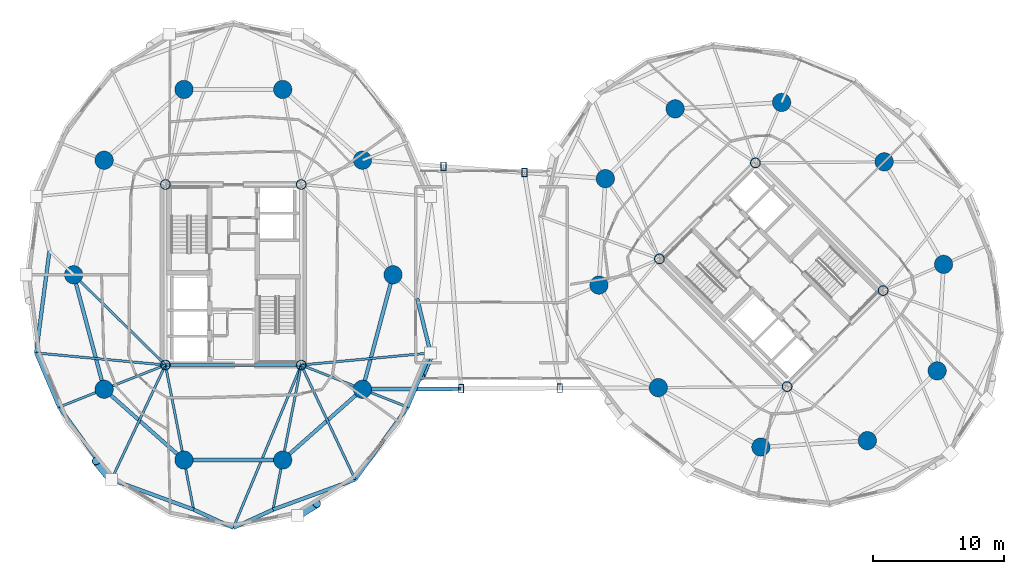
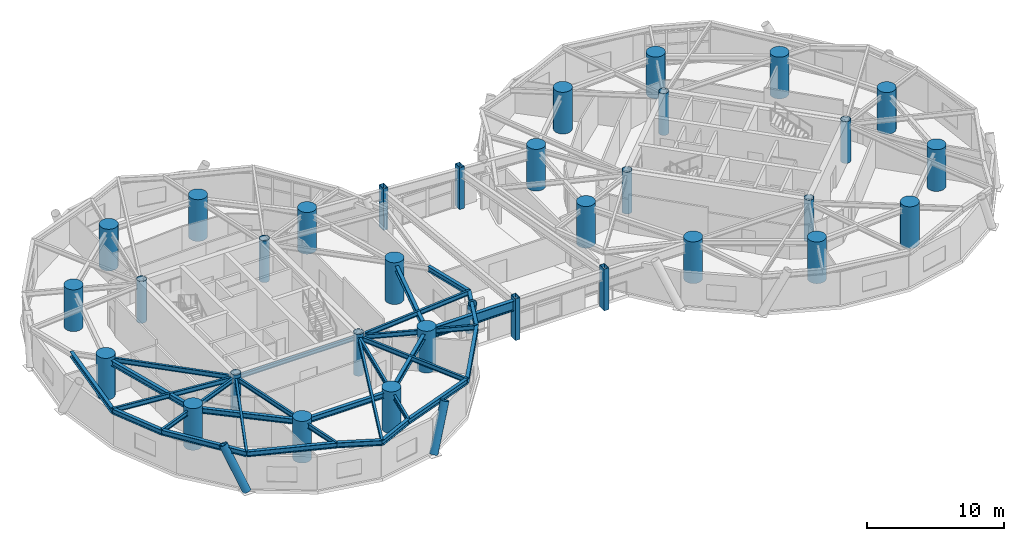
# One storey, part 1 of 20: 32 columns, 27 beams, 3 members.
"""IFC4 building model written with IfcOpenShell, lengths in metres."""

import ifcopenshell
import ifcopenshell.guid

model = None  # the IFC model being written
_history = None  # IfcOwnerHistory: only IFC2X3 demands one
_inside = {}  # id of a spatial element -> (the spatial element, [elements in it])
_under = {}  # id of a project, library or spatial element -> (it, [spatial elements below it])
_declared = {}  # id of a project -> (the project, [libraries it declares])
_typed = {}  # id of a type object -> (the type object, [elements of that type])
_made_of = {}  # id of a material, layer set ... -> (it, [elements and type objects made of it])


def new_model(schema):
    """Start an empty IFC model of exactly this schema.

    Asked for "IFC4X3", IfcOpenShell would pick the latest addendum, in which some entities
    have other attributes; the version numbers below select the first issue.
    IFC2X3 requires an IfcOwnerHistory on every rooted entity: one is made here for all.
    """
    global model, _history
    if schema == "IFC4X3":
        model = ifcopenshell.file(schema_version=(4, 3, 0, 0))
    else:
        model = ifcopenshell.file(schema=schema)
    _inside.clear()
    _under.clear()
    _declared.clear()
    _typed.clear()
    _made_of.clear()
    _history = None
    if model.schema == "IFC2X3":
        org = make("IfcOrganization", Name="unknown")
        user = make(
            "IfcPersonAndOrganization",
            ThePerson=make("IfcPerson", FamilyName="unknown"),
            TheOrganization=org,
        )
        app = make(
            "IfcApplication",
            ApplicationDeveloper=org,
            Version="unknown",
            ApplicationFullName="unknown",
            ApplicationIdentifier="unknown",
        )
        _history = make(
            "IfcOwnerHistory",
            OwningUser=user,
            OwningApplication=app,
            ChangeAction="ADDED",
            CreationDate=0,
        )
    return model


def make(cls, **values):
    """One entity of the class cls with the attributes given. An attribute that is None is left unset."""
    return model.create_entity(
        cls, **{name: value for name, value in values.items() if value is not None}
    )


def rooted(cls, **values):
    """An entity with a GlobalId (a new one), such as an element, a storey or a relation."""
    return make(cls, GlobalId=ifcopenshell.guid.new(), OwnerHistory=_history, **values)


def si_unit(unit_type, name, prefix=None):
    """IfcSIUnit, for example si_unit("LENGTHUNIT", "METRE", prefix="MILLI")."""
    return make("IfcSIUnit", UnitType=unit_type, Prefix=prefix, Name=name)


def assignment(units):
    """IfcUnitAssignment: the units of a project."""
    return None if units is None else make("IfcUnitAssignment", Units=units)


def point(xyz):
    """IfcCartesianPoint."""
    return None if xyz is None else make("IfcCartesianPoint", Coordinates=xyz)


def direction(xyz):
    """IfcDirection."""
    return None if xyz is None else make("IfcDirection", DirectionRatios=xyz)


def frame(location, z_axis=None, x_axis=None):
    """IfcAxis2Placement3D, a coordinate frame: its origin and axes. An axis left out is left unset."""
    return make(
        "IfcAxis2Placement3D",
        Location=point(location),
        Axis=direction(z_axis),
        RefDirection=direction(x_axis),
    )


def frame_2d(location, x_axis=None):
    """IfcAxis2Placement2D, a coordinate frame in the plane: its origin and x axis."""
    return make(
        "IfcAxis2Placement2D", Location=point(location), RefDirection=direction(x_axis)
    )


def origin():
    """The frame at (0, 0, 0) with its axes left unset."""
    return frame((0.0, 0.0, 0.0))


def origin_2d():
    """The frame at (0, 0) in the plane with its x axis left unset."""
    return frame_2d((0.0, 0.0))


def place(relative_to, where):
    """IfcLocalPlacement: puts the frame where relative to a parent placement (None: the world)."""
    return make(
        "IfcLocalPlacement", PlacementRelTo=relative_to, RelativePlacement=where
    )


def context(
    kind, dimensions, precision=None, world=None, true_north=None, identifier=None
):
    """IfcGeometricRepresentationContext, for example the 3D "Model" context."""
    return make(
        "IfcGeometricRepresentationContext",
        ContextIdentifier=identifier,
        ContextType=kind,
        CoordinateSpaceDimension=dimensions,
        Precision=precision,
        WorldCoordinateSystem=world,
        TrueNorth=true_north,
    )


def subcontext(parent, identifier, kind, view, scale=None):
    """IfcGeometricRepresentationSubContext, for example "Body" below "Model"."""
    return make(
        "IfcGeometricRepresentationSubContext",
        ContextIdentifier=identifier,
        ContextType=kind,
        ParentContext=parent,
        TargetScale=scale,
        TargetView=view,
    )


def project(units=None, contexts=None):
    """IfcProject with its units and contexts."""
    return rooted(
        "IfcProject",
        Name="project",
        RepresentationContexts=contexts,
        UnitsInContext=assignment(units),
    )


def spatial(cls, under=None, at=None, **own):
    """A site, building, storey or space (cls), placed at a placement, below another one or the project."""
    s = rooted(cls, ObjectPlacement=at, **own)
    if under is not None:
        _under.setdefault(under.id(), (under, []))[1].append(s)
    return s


def profile(cls, at=None, kind="AREA", **sizes):
    """A parametric profile (cls). Its sizes go by their IFC names, for example OverallWidth=200.0."""
    return make(cls, ProfileType=kind, Position=at, **sizes)


def hollow_rectangle(**sizes):
    """IfcRectangleHollowProfileDef."""
    return profile("IfcRectangleHollowProfileDef", **sizes)


def circle(**sizes):
    """IfcCircleProfileDef."""
    return profile("IfcCircleProfileDef", **sizes)


def hollow_circle(**sizes):
    """IfcCircleHollowProfileDef."""
    return profile("IfcCircleHollowProfileDef", **sizes)


def i_section(**sizes):
    """IfcIShapeProfileDef."""
    return profile("IfcIShapeProfileDef", **sizes)


def extrude(swept, where, along, depth):
    """IfcExtrudedAreaSolid: the profile swept, set in the frame where, extruded along a direction by depth."""
    return make(
        "IfcExtrudedAreaSolid",
        SweptArea=swept,
        Position=where,
        ExtrudedDirection=direction(along),
        Depth=depth,
    )


def shape(context_of_items, identifier, shape_type, items):
    """IfcShapeRepresentation: the items that make up one representation, for example the "Body"."""
    return make(
        "IfcShapeRepresentation",
        ContextOfItems=context_of_items,
        RepresentationIdentifier=identifier,
        RepresentationType=shape_type,
        Items=items,
    )


def material(Name=None, Category=None):
    """IfcMaterial."""
    return make("IfcMaterial", Name=Name, Category=Category)


def material_profile(
    of_material, cross_section, Name=None, Category=None, Priority=None
):
    """IfcMaterialProfile: a cross section and its material."""
    return make(
        "IfcMaterialProfile",
        Name=Name,
        Material=of_material,
        Profile=cross_section,
        Priority=Priority,
        Category=Category,
    )


def profile_set(profiles, Name=None, composite=None):
    """IfcMaterialProfileSet."""
    return make(
        "IfcMaterialProfileSet",
        Name=Name,
        MaterialProfiles=profiles,
        CompositeProfile=composite,
    )


def made_of(thing, what):
    """Note that an element or type object is made of a material, layer set ...; save() writes the relation."""
    if what is not None:
        _made_of.setdefault(what.id(), (what, []))[1].append(thing)
    return thing


def type_object(cls, material=None, **own):
    """A type object (cls), such as IfcWallType, which elements share."""
    return made_of(rooted(cls, **own), material)


def element(
    cls,
    number,
    at=None,
    inside=None,
    cuts=None,
    type_object=None,
    material=None,
    context=None,
    identifier="Body",
    shape_type=None,
    held_by="IfcProductDefinitionShape",
    body=None,
    shapes=None,
    **own,
):
    """One element of the class cls, such as IfcWall. Its Tag is "e" and its number.

    at: its placement. inside: the storey or other place that contains it. cuts: it is an
    opening in that element (IfcRelVoidsElement). A single representation is given by context,
    identifier, shape_type and body (its items); several are given by shapes. held_by: the class
    of the entity that holds the representations. save() writes the other relations.
    """
    e = rooted(cls, Tag="e%d" % number, ObjectPlacement=at, **own)
    if body is not None:
        shapes = [shape(context, identifier, shape_type, body)]
    if shapes is not None:
        e.Representation = make(held_by, Representations=shapes)
    if inside is not None:
        _inside.setdefault(inside.id(), (inside, []))[1].append(e)
    if cuts is not None:
        rooted(
            "IfcRelVoidsElement", RelatingBuildingElement=cuts, RelatedOpeningElement=e
        )
    if type_object is not None:
        _typed.setdefault(type_object.id(), (type_object, []))[1].append(e)
    return made_of(e, material)


def aggregate(whole, parts):
    """IfcRelAggregates: a whole, such as a stair, and the parts it consists of."""
    return rooted("IfcRelAggregates", RelatingObject=whole, RelatedObjects=parts)


def save(model, path):
    """Write the relations noted so far, then the file.

    IfcRelAggregates (storeys below a building ...), IfcRelContainedInSpatialStructure (elements
    in a storey), IfcRelDefinesByType, IfcRelAssociatesMaterial and IfcRelDeclares: one each for
    every whole, place, type object, material and project.
    """
    for whole, parts in _under.values():
        aggregate(whole, parts)
    for where, things in _inside.values():
        rooted(
            "IfcRelContainedInSpatialStructure",
            RelatedElements=things,
            RelatingStructure=where,
        )
    for kind, things in _typed.values():
        rooted("IfcRelDefinesByType", RelatedObjects=things, RelatingType=kind)
    for what, things in _made_of.values():
        rooted("IfcRelAssociatesMaterial", RelatedObjects=things, RelatingMaterial=what)
    for by, libraries in _declared.values():
        rooted("IfcRelDeclares", RelatingContext=by, RelatedDefinitions=libraries)
    model.write(path)


model = new_model("IFC4")

# Units and contexts
model_context = context("Model", 3, precision=1e-05, world=origin(), true_north=direction((0.0, 1.0)))
body_context = subcontext(model_context, "Body", "Model", "MODEL_VIEW")
ifc_project = project(units=[si_unit("LENGTHUNIT", "METRE"), si_unit("AREAUNIT", "SQUARE_METRE"), si_unit("VOLUMEUNIT", "CUBIC_METRE"), si_unit("PLANEANGLEUNIT", "RADIAN"), si_unit("MASSUNIT", "GRAM", prefix="KILO")], contexts=[model_context])

# Site, building, storey
site_placement = place(None, origin())
site = spatial("IfcSite", under=ifc_project, at=site_placement, CompositionType="ELEMENT")
building_placement = place(site_placement, origin())
building = spatial("IfcBuilding", under=site, at=building_placement, Name="Cununo Teusaquillo Station Towers", CompositionType="ELEMENT")
storey_placement = place(building_placement, frame((0.0, 0.0, 129.159912109375)))
storey = spatial("IfcBuildingStorey", under=building, at=storey_placement, Name="L41", CompositionType="ELEMENT", Elevation=129.159912109375)

# Columns
ifc_material_1 = material(Name="Steel ASTM A572 Grade 50", Category="steel")
ifc_material_profile_1 = material_profile(ifc_material_1, hollow_rectangle(XDim=0.39990234375, YDim=0.64990234375, WallThickness=0.02490234375, at=origin_2d()), Name="RHS 650x400x25")
ifc_profile_set_1 = profile_set([ifc_material_profile_1], Name="Steel ASTM A572 Grade 50")
column_type_1 = type_object("IfcColumnType", Name="COL-BRG-POST", PredefinedType="COLUMN", material=ifc_profile_set_1)
for number, where, z_axis, x_axis, name in (
    (1, (33.862548828125, 15.81201171875, 0.0), (0.0, 0.0, 1.0), (1.0, 0.0, 0.0), "L41 Mid-Bridge Vierendeel Post S1"),
    (2, (41.377685546875, 15.8525390625, 0.0), (0.0, 0.0, 1.0), (1.0, 0.0, 0.0), "L41 Mid-Bridge Vierendeel Post S2"),
    (3, (32.51611328125, 32.761474609375, 0.0), (0.0, 0.0, 1.0), (1.0, 0.0, 0.0), "L41 Mid-Bridge Vierendeel Post N1"),
    (4, (38.684814453125, 32.294189453125, 0.0), (0.0, 0.0, 1.0), (1.0, 0.0, 0.0), "L41 Mid-Bridge Vierendeel Post N2"),
):
    element("IfcColumn", number, at=place(storey_placement, frame(where, z_axis=z_axis, x_axis=x_axis)), inside=storey, type_object=column_type_1, Name=name, PredefinedType="COLUMN", context=body_context, shape_type="SweptSolid", body=[
        extrude(hollow_rectangle(XDim=0.39990234375, YDim=0.64990234375, WallThickness=0.02490234375, at=origin_2d()), origin(), (0.0, 0.0, 1.0), 3.719970703125),
    ])
ifc_material_2 = material(Name="Steel EN 10025-2 S355J2", Category="steel")
ifc_material_profile_2 = material_profile(ifc_material_2, hollow_circle(Radius=0.3798828125, WallThickness=0.031982421875, at=origin_2d()), Name="CHS 760x32")
ifc_profile_set_2 = profile_set([ifc_material_profile_2], Name="Steel EN 10025-2 S355J2")
column_type_2 = type_object("IfcColumnType", Name="COL-CORE-Z2", PredefinedType="COLUMN", material=ifc_profile_set_2)
for number, where, z_axis, x_axis, name in (
    (5, (11.324951171875, 17.6201171875, 0.0), (0.0, 0.0, 1.0), (1.0, 0.0, 0.0), "L41 Tower A Core Column 1"),
    (6, (11.324951171875, 31.3798828125, 0.0), (0.0, 0.0, 1.0), (1.0, 0.0, 0.0), "L41 Tower A Core Column 2"),
    (7, (21.675048828125, 17.6201171875, 0.0), (0.0, 0.0, 1.0), (1.0, 0.0, 0.0), "L41 Tower A Core Column 3"),
    (8, (21.675048828125, 31.3798828125, 0.0), (0.0, 0.0, 1.0), (1.0, 0.0, 0.0), "L41 Tower A Core Column 4"),
    (9, (58.70556640625, 15.975830078125, 0.0), (0.0, 0.0, 1.0), (0.707106781187, 0.707106781187, 0.0), "L41 Tower B Core Column 1"),
    (10, (48.975830078125, 25.70556640625, 0.0), (0.0, 0.0, 1.0), (0.707106781187, 0.707106781187, 0.0), "L41 Tower B Core Column 2"),
    (11, (66.024169921875, 23.29443359375, 0.0), (0.0, 0.0, 1.0), (0.707106781187, 0.707106781187, 0.0), "L41 Tower B Core Column 3"),
    (12, (56.29443359375, 33.024169921875, 0.0), (0.0, 0.0, 1.0), (0.707106781187, 0.707106781187, 0.0), "L41 Tower B Core Column 4"),
):
    element("IfcColumn", number, at=place(storey_placement, frame(where, z_axis=z_axis, x_axis=x_axis)), inside=storey, type_object=column_type_2, Name=name, PredefinedType="COLUMN", context=body_context, shape_type="SweptSolid", body=[
        extrude(hollow_circle(Radius=0.3798828125, WallThickness=0.031982421875, at=origin_2d()), origin(), (0.0, 0.0, 1.0), 3.719970703125),
    ])
ifc_material_3 = material(Name="Concrete C60/75", Category="concrete")
ifc_material_profile_3 = material_profile(ifc_material_3, circle(Radius=0.699951171875, at=origin_2d()), Name="RC-CIRC-1400")
ifc_profile_set_3 = profile_set([ifc_material_profile_3], Name="Concrete C60/75")
column_type_3 = type_object("IfcColumnType", Name="COL-MEGA-Z2", PredefinedType="USERDEFINED", material=ifc_profile_set_3)
for number, where, z_axis, x_axis, name in (
    (13, (28.672119140625, 24.5, 0.0), (0.0, 0.0, 1.0), (1.0, 0.0, 0.0), "L41 Tower A Perimeter Column V00"),
    (14, (26.347412109375, 33.228515625, 0.0), (0.0, 0.0, 1.0), (1.0, 0.0, 0.0), "L41 Tower A Perimeter Column V02"),
    (15, (20.261474609375, 38.623291015625, 0.0), (0.0, 0.0, 1.0), (1.0, 0.0, 0.0), "L41 Tower A Perimeter Column V04"),
    (16, (12.738525390625, 38.623291015625, 0.0), (0.0, 0.0, 1.0), (1.0, 0.0, 0.0), "L41 Tower A Perimeter Column V06"),
    (17, (6.652587890625, 33.228515625, 0.0), (0.0, 0.0, 1.0), (1.0, 0.0, 0.0), "L41 Tower A Perimeter Column V08"),
    (18, (4.327880859375, 24.5, 0.0), (0.0, 0.0, 1.0), (1.0, 0.0, 0.0), "L41 Tower A Perimeter Column V10"),
    (19, (6.652587890625, 15.771484375, 0.0), (0.0, 0.0, 1.0), (1.0, 0.0, 0.0), "L41 Tower A Perimeter Column V12"),
    (20, (12.738525390625, 10.376708984375, 0.0), (0.0, 0.0, 1.0), (1.0, 0.0, 0.0), "L41 Tower A Perimeter Column V14"),
    (21, (20.261474609375, 10.376708984375, 0.0), (0.0, 0.0, 1.0), (1.0, 0.0, 0.0), "L41 Tower A Perimeter Column V16"),
    (22, (26.347412109375, 15.771484375, 0.0), (0.0, 0.0, 1.0), (1.0, 0.0, 0.0), "L41 Tower A Perimeter Column V18"),
    (23, (66.10693359375, 33.10693359375, 0.0), (0.0, 0.0, 1.0), (1.0, 0.0, 0.0), "L41 Tower B Perimeter Column V00"),
    (24, (58.291015625, 37.63525390625, 0.0), (0.0, 0.0, 1.0), (1.0, 0.0, 0.0), "L41 Tower B Perimeter Column V02"),
    (25, (50.173095703125, 37.146240234375, 0.0), (0.0, 0.0, 1.0), (1.0, 0.0, 0.0), "L41 Tower B Perimeter Column V04"),
    (26, (44.853759765625, 31.826904296875, 0.0), (0.0, 0.0, 1.0), (1.0, 0.0, 0.0), "L41 Tower B Perimeter Column V06"),
    (27, (44.36474609375, 23.708984375, 0.0), (0.0, 0.0, 1.0), (1.0, 0.0, 0.0), "L41 Tower B Perimeter Column V08"),
    (28, (48.89306640625, 15.89306640625, 0.0), (0.0, 0.0, 1.0), (1.0, 0.0, 0.0), "L41 Tower B Perimeter Column V10"),
    (29, (56.708984375, 11.36474609375, 0.0), (0.0, 0.0, 1.0), (1.0, 0.0, 0.0), "L41 Tower B Perimeter Column V12"),
    (30, (64.826904296875, 11.853759765625, 0.0), (0.0, 0.0, 1.0), (1.0, 0.0, 0.0), "L41 Tower B Perimeter Column V14"),
    (31, (70.146240234375, 17.173095703125, 0.0), (0.0, 0.0, 1.0), (1.0, 0.0, 0.0), "L41 Tower B Perimeter Column V16"),
    (32, (70.63525390625, 25.291015625, 0.0), (0.0, 0.0, 1.0), (1.0, 0.0, 0.0), "L41 Tower B Perimeter Column V18"),
):
    element("IfcColumn", number, at=place(storey_placement, frame(where, z_axis=z_axis, x_axis=x_axis)), inside=storey, type_object=column_type_3, Name=name, ObjectType="MEGA COLUMN", PredefinedType="USERDEFINED", context=body_context, shape_type="SweptSolid", body=[
        extrude(circle(Radius=0.699951171875, at=origin_2d()), origin(), (0.0, 0.0, 1.0), 3.719970703125),
    ])

# Beams
ifc_material_4 = material(Name="Steel EN 10025-2 S355J2", Category="steel")
ifc_material_profile_4 = material_profile(ifc_material_4, i_section(OverallWidth=0.300048828125, OverallDepth=0.89990234375, WebThickness=0.0185546875, FlangeThickness=0.034912109375, FilletRadius=0.027099609375, at=origin_2d()), Name="HEB 900")
ifc_profile_set_4 = profile_set([ifc_material_profile_4], Name="Steel EN 10025-2 S355J2")
beam_type_1 = type_object("IfcBeamType", Name="BM-BRG-CH2", PredefinedType="BEAM", material=ifc_profile_set_4)
beam_1_placement = place(storey_placement, frame((26.347412109375, 15.771484375, 2.989990234375), z_axis=(0.999985459376, 0.00539268359, 0.0), x_axis=(-0.00539268359, 0.999985459376, 0.0)))
element("IfcBeam", 33, at=beam_1_placement, inside=storey, type_object=beam_type_1, Name="L41 Mid-Bridge Chord S1", PredefinedType="BEAM", context=body_context, shape_type="SweptSolid", body=[
    extrude(i_section(OverallWidth=0.300048828125, OverallDepth=0.89990234375, WebThickness=0.0185546875, FlangeThickness=0.034912109375, FilletRadius=0.027099609375, at=origin_2d()), origin(), (0.0, 0.0, 1.0), 7.51513671875),
])
ifc_material_5 = material(Name="Steel ASTM A572 Grade 50", Category="steel")
ifc_material_profile_5 = material_profile(ifc_material_5, i_section(OverallWidth=0.180908203125, OverallDepth=0.4169921875, WebThickness=0.010986328125, FlangeThickness=0.018310546875, FilletRadius=0.012939453125, at=origin_2d()), Name="W16X57")
ifc_profile_set_5 = profile_set([ifc_material_profile_5], Name="Steel ASTM A572 Grade 50")
beam_type_2 = type_object("IfcBeamType", Name="BM-JOIST-1", PredefinedType="JOIST", material=ifc_profile_set_5)
beam_2_placement = place(storey_placement, frame((11.324951171875, 17.6201171875, 3.231689453125), z_axis=(-0.995678537907, 0.09286683558, 0.0), x_axis=(-0.09286683558, -0.995678537907, 0.0)))
element("IfcBeam", 34, at=beam_2_placement, inside=storey, type_object=beam_type_2, Name="L41 Tower A Radial Spandrel Joist V11", PredefinedType="JOIST", context=body_context, shape_type="SweptSolid", body=[
    extrude(i_section(OverallWidth=0.180908203125, OverallDepth=0.4169921875, WebThickness=0.010986328125, FlangeThickness=0.018310546875, FilletRadius=0.012939453125, at=origin_2d()), origin(), (0.0, 0.0, 1.0), 9.895263671875),
])
beam_3_placement = place(storey_placement, frame((11.324951171875, 17.6201171875, 3.231689453125), z_axis=(-0.426319838016, -0.904572493344, 0.0), x_axis=(0.904572493344, -0.426319838016, 0.0)))
element("IfcBeam", 35, at=beam_3_placement, inside=storey, type_object=beam_type_2, Name="L41 Tower A Radial Spandrel Joist V13", PredefinedType="JOIST", context=body_context, shape_type="SweptSolid", body=[
    extrude(i_section(OverallWidth=0.180908203125, OverallDepth=0.4169921875, WebThickness=0.010986328125, FlangeThickness=0.018310546875, FilletRadius=0.012939453125, at=origin_2d()), origin(), (0.0, 0.0, 1.0), 9.646728515625),
])
beam_4_placement = place(storey_placement, frame((21.675048828125, 17.6201171875, 3.231689453125), z_axis=(-0.38487837995, -0.922967297713, 0.0), x_axis=(0.922967297713, -0.38487837995, 0.0)))
element("IfcBeam", 36, at=beam_4_placement, inside=storey, type_object=beam_type_2, Name="L41 Tower A Radial Spandrel Joist V15", PredefinedType="JOIST", context=body_context, shape_type="SweptSolid", body=[
    extrude(i_section(OverallWidth=0.180908203125, OverallDepth=0.4169921875, WebThickness=0.010986328125, FlangeThickness=0.018310546875, FilletRadius=0.012939453125, at=origin_2d()), origin(), (0.0, 0.0, 1.0), 13.446044921875),
])
beam_5_placement = place(storey_placement, frame((21.675048828125, 17.6201171875, 3.231689453125), z_axis=(0.426319838016, -0.904572493344, 0.0), x_axis=(0.904572493344, 0.426319838016, 0.0)))
element("IfcBeam", 37, at=beam_5_placement, inside=storey, type_object=beam_type_2, Name="L41 Tower A Radial Spandrel Joist V17", PredefinedType="JOIST", context=body_context, shape_type="SweptSolid", body=[
    extrude(i_section(OverallWidth=0.180908203125, OverallDepth=0.4169921875, WebThickness=0.010986328125, FlangeThickness=0.018310546875, FilletRadius=0.012939453125, at=origin_2d()), origin(), (0.0, 0.0, 1.0), 9.646728515625),
])
beam_6_placement = place(storey_placement, frame((21.675048828125, 17.6201171875, 3.231689453125), z_axis=(0.995678537907, 0.09286683558, 0.0), x_axis=(-0.09286683558, 0.995678537907, 0.0)))
element("IfcBeam", 38, at=beam_6_placement, inside=storey, type_object=beam_type_2, Name="L41 Tower A Radial Spandrel Joist V19", PredefinedType="JOIST", context=body_context, shape_type="SweptSolid", body=[
    extrude(i_section(OverallWidth=0.180908203125, OverallDepth=0.4169921875, WebThickness=0.010986328125, FlangeThickness=0.018310546875, FilletRadius=0.012939453125, at=origin_2d()), origin(), (0.0, 0.0, 1.0), 9.895263671875),
])
ifc_material_6 = material(Name="Steel ASTM A572 Grade 50", Category="steel")
ifc_material_profile_6 = material_profile(ifc_material_6, i_section(OverallWidth=0.2041015625, OverallDepth=0.35009765625, WebThickness=0.008544921875, FlangeThickness=0.01513671875, FilletRadius=0.011962890625, at=origin_2d()), Name="W14X48")
ifc_profile_set_6 = profile_set([ifc_material_profile_6], Name="Steel ASTM A572 Grade 50")
beam_type_3 = type_object("IfcBeamType", Name="BM-LINTEL-1", PredefinedType="LINTEL", material=ifc_profile_set_6)
beam_7_placement = place(storey_placement, frame((11.324951171875, 17.6201171875, 3.26513671875), z_axis=(1.0, 0.0, 0.0), x_axis=(0.0, 1.0, 0.0)))
element("IfcBeam", 39, at=beam_7_placement, inside=storey, type_object=beam_type_3, Name="L41 Tower A Core Beam 3", PredefinedType="LINTEL", context=body_context, shape_type="SweptSolid", body=[
    extrude(i_section(OverallWidth=0.2041015625, OverallDepth=0.35009765625, WebThickness=0.008544921875, FlangeThickness=0.01513671875, FilletRadius=0.011962890625, at=origin_2d()), origin(), (0.0, 0.0, 1.0), 10.35009765625),
])
ifc_material_7 = material(Name="Steel ASTM A572 Grade 50", Category="steel")
ifc_material_profile_7 = material_profile(ifc_material_7, i_section(OverallWidth=0.180908203125, OverallDepth=0.4169921875, WebThickness=0.010986328125, FlangeThickness=0.018310546875, FilletRadius=0.012939453125, at=origin_2d()), Name="W16X57")
ifc_profile_set_7 = profile_set([ifc_material_profile_7], Name="Steel ASTM A572 Grade 50")
beam_type_4 = type_object("IfcBeamType", Name="BM-RAD-G2", PredefinedType="BEAM", material=ifc_profile_set_7)
beam_8_placement = place(storey_placement, frame((11.324951171875, 17.6201171875, 3.231689453125), z_axis=(-0.713052701438, 0.701110437073, 0.0), x_axis=(-0.701110437073, -0.713052701438, 0.0)))
element("IfcBeam", 40, at=beam_8_placement, inside=storey, type_object=beam_type_4, Name="L41 Tower A Radial Girder 06A", PredefinedType="BEAM", context=body_context, shape_type="SweptSolid", body=[
    extrude(i_section(OverallWidth=0.180908203125, OverallDepth=0.4169921875, WebThickness=0.010986328125, FlangeThickness=0.018310546875, FilletRadius=0.012939453125, at=origin_2d()), origin(), (0.0, 0.0, 1.0), 9.812744140625),
])
beam_9_placement = place(storey_placement, frame((11.324951171875, 17.6201171875, 3.231689453125), z_axis=(-0.929863123823, -0.367905654963, 0.0), x_axis=(0.367905654963, -0.929863123823, 0.0)))
element("IfcBeam", 41, at=beam_9_placement, inside=storey, type_object=beam_type_4, Name="L41 Tower A Continuous Overhanging Radial Girder 07", PredefinedType="BEAM", context=body_context, shape_type="SweptSolid", body=[
    extrude(i_section(OverallWidth=0.180908203125, OverallDepth=0.4169921875, WebThickness=0.010986328125, FlangeThickness=0.018310546875, FilletRadius=0.012939453125, at=origin_2d()), origin(), (0.0, 0.0, 1.0), 8.715087890625),
])
for number, where, z_axis, x_axis, name in (
    (42, (11.324951171875, 17.6201171875, 3.231689453125), (0.191552755713, -0.981482318628, 0.0), (0.981482318628, 0.191552755713, 0.0), "L41 Tower A Continuous Overhanging Radial Girder 08"),
    (43, (21.675048828125, 17.6201171875, 3.231689453125), (-0.191552755713, -0.981482318628, 0.0), (0.981482318628, -0.191552755713, 0.0), "L41 Tower A Continuous Overhanging Radial Girder 09"),
):
    element("IfcBeam", number, at=place(storey_placement, frame(where, z_axis=z_axis, x_axis=x_axis)), inside=storey, type_object=beam_type_4, Name=name, PredefinedType="BEAM", context=body_context, shape_type="SweptSolid", body=[
        extrude(i_section(OverallWidth=0.180908203125, OverallDepth=0.4169921875, WebThickness=0.010986328125, FlangeThickness=0.018310546875, FilletRadius=0.012939453125, at=origin_2d()), origin(), (0.0, 0.0, 1.0), 11.22998046875),
    ])
beam_10_placement = place(storey_placement, frame((21.675048828125, 17.6201171875, 3.231689453125), z_axis=(0.929863123823, -0.367905654963, 0.0), x_axis=(0.367905654963, 0.929863123823, 0.0)))
element("IfcBeam", 44, at=beam_10_placement, inside=storey, type_object=beam_type_4, Name="L41 Tower A Continuous Overhanging Radial Girder 10", PredefinedType="BEAM", context=body_context, shape_type="SweptSolid", body=[
    extrude(i_section(OverallWidth=0.180908203125, OverallDepth=0.4169921875, WebThickness=0.010986328125, FlangeThickness=0.018310546875, FilletRadius=0.012939453125, at=origin_2d()), origin(), (0.0, 0.0, 1.0), 8.715087890625),
])
ifc_material_8 = material(Name="Steel ASTM A572 Grade 50", Category="steel")
ifc_material_profile_8 = material_profile(ifc_material_8, i_section(OverallWidth=0.280029296875, OverallDepth=0.462890625, WebThickness=0.0107421875, FlangeThickness=0.017333984375, FilletRadius=0.013916015625, at=origin_2d()), Name="W18X76")
ifc_profile_set_8 = profile_set([ifc_material_profile_8], Name="Steel ASTM A572 Grade 50")
beam_type_5 = type_object("IfcBeamType", Name="BM-RING-Z2", PredefinedType="SPANDREL", material=ifc_profile_set_8)
beam_11_placement = place(storey_placement, frame((4.327880859375, 24.5, 3.20849609375), z_axis=(0.257363196347, -0.966314744359, 0.0), x_axis=(0.966314744359, 0.257363196347, 0.0)))
element("IfcBeam", 45, at=beam_11_placement, inside=storey, type_object=beam_type_5, Name="L41 Tower A Structural Column Ring Girder 06", PredefinedType="SPANDREL", context=body_context, shape_type="SweptSolid", body=[
    extrude(i_section(OverallWidth=0.280029296875, OverallDepth=0.462890625, WebThickness=0.0107421875, FlangeThickness=0.017333984375, FilletRadius=0.013916015625, at=origin_2d()), origin(), (0.0, 0.0, 1.0), 9.03271484375),
])
beam_12_placement = place(storey_placement, frame((6.652587890625, 15.771484375, 3.20849609375), z_axis=(0.74832120039, -0.66333655187, 0.0), x_axis=(0.66333655187, 0.74832120039, 0.0)))
element("IfcBeam", 46, at=beam_12_placement, inside=storey, type_object=beam_type_5, Name="L41 Tower A Structural Column Ring Girder 07", PredefinedType="SPANDREL", context=body_context, shape_type="SweptSolid", body=[
    extrude(i_section(OverallWidth=0.280029296875, OverallDepth=0.462890625, WebThickness=0.0107421875, FlangeThickness=0.017333984375, FilletRadius=0.013916015625, at=origin_2d()), origin(), (0.0, 0.0, 1.0), 8.1328125),
])
beam_13_placement = place(storey_placement, frame((12.738525390625, 10.376708984375, 3.20849609375), z_axis=(1.0, 0.0, 0.0), x_axis=(0.0, 1.0, 0.0)))
element("IfcBeam", 47, at=beam_13_placement, inside=storey, type_object=beam_type_5, Name="L41 Tower A Structural Column Ring Girder 08", PredefinedType="SPANDREL", context=body_context, shape_type="SweptSolid", body=[
    extrude(i_section(OverallWidth=0.280029296875, OverallDepth=0.462890625, WebThickness=0.0107421875, FlangeThickness=0.017333984375, FilletRadius=0.013916015625, at=origin_2d()), origin(), (0.0, 0.0, 1.0), 7.52294921875),
])
beam_14_placement = place(storey_placement, frame((20.261474609375, 10.376708984375, 3.20849609375), z_axis=(0.74832120039, 0.66333655187, 0.0), x_axis=(-0.66333655187, 0.74832120039, 0.0)))
element("IfcBeam", 48, at=beam_14_placement, inside=storey, type_object=beam_type_5, Name="L41 Tower A Structural Column Ring Girder 09", PredefinedType="SPANDREL", context=body_context, shape_type="SweptSolid", body=[
    extrude(i_section(OverallWidth=0.280029296875, OverallDepth=0.462890625, WebThickness=0.0107421875, FlangeThickness=0.017333984375, FilletRadius=0.013916015625, at=origin_2d()), origin(), (0.0, 0.0, 1.0), 8.1328125),
])
beam_15_placement = place(storey_placement, frame((26.347412109375, 15.771484375, 3.20849609375), z_axis=(0.257363196347, 0.966314744359, 0.0), x_axis=(-0.966314744359, 0.257363196347, 0.0)))
element("IfcBeam", 49, at=beam_15_placement, inside=storey, type_object=beam_type_5, Name="L41 Tower A Structural Column Ring Girder 10", PredefinedType="SPANDREL", context=body_context, shape_type="SweptSolid", body=[
    extrude(i_section(OverallWidth=0.280029296875, OverallDepth=0.462890625, WebThickness=0.0107421875, FlangeThickness=0.017333984375, FilletRadius=0.013916015625, at=origin_2d()), origin(), (0.0, 0.0, 1.0), 9.03271484375),
])
beam_16_placement = place(storey_placement, frame((2.48291015625, 26.314208984375, 3.20849609375), z_axis=(-0.12888124113, -0.991660035337, 0.0), x_axis=(0.991660035337, -0.12888124113, 0.0)))
element("IfcBeam", 50, at=beam_16_placement, inside=storey, type_object=beam_type_5, Name="L41 Tower A Spandrel Ring Beam 11", PredefinedType="SPANDREL", context=body_context, shape_type="SweptSolid", body=[
    extrude(i_section(OverallWidth=0.280029296875, OverallDepth=0.462890625, WebThickness=0.0107421875, FlangeThickness=0.017333984375, FilletRadius=0.013916015625, at=origin_2d()), origin(), (0.0, 0.0, 1.0), 7.840576171875),
])
beam_17_placement = place(storey_placement, frame((1.472412109375, 18.5390625, 3.20849609375), z_axis=(0.390299356049, -0.920688010494, 0.0), x_axis=(0.920688010494, 0.390299356049, 0.0)))
element("IfcBeam", 51, at=beam_17_placement, inside=storey, type_object=beam_type_5, Name="L41 Tower A Spandrel Ring Beam 12", PredefinedType="SPANDREL", context=body_context, shape_type="SweptSolid", body=[
    extrude(i_section(OverallWidth=0.280029296875, OverallDepth=0.462890625, WebThickness=0.0107421875, FlangeThickness=0.017333984375, FilletRadius=0.013916015625, at=origin_2d()), origin(), (0.0, 0.0, 1.0), 4.480712890625),
])
beam_18_placement = place(storey_placement, frame((3.22119140625, 14.413818359375, 3.20849609375), z_axis=(0.58594455724, -0.810351143543, 0.0), x_axis=(0.810351143543, 0.58594455724, 0.0)))
element("IfcBeam", 52, at=beam_18_placement, inside=storey, type_object=beam_type_5, Name="L41 Tower A Spandrel Ring Beam 13", PredefinedType="SPANDREL", context=body_context, shape_type="SweptSolid", body=[
    extrude(i_section(OverallWidth=0.280029296875, OverallDepth=0.462890625, WebThickness=0.0107421875, FlangeThickness=0.017333984375, FilletRadius=0.013916015625, at=origin_2d()), origin(), (0.0, 0.0, 1.0), 6.8115234375),
])
beam_19_placement = place(storey_placement, frame((7.21240234375, 8.89404296875, 3.20849609375), z_axis=(0.938914161016, -0.34415141761, 0.0), x_axis=(0.34415141761, 0.938914161016, 0.0)))
element("IfcBeam", 53, at=beam_19_placement, inside=storey, type_object=beam_type_5, Name="L41 Tower A Spandrel Ring Beam 14", PredefinedType="SPANDREL", context=body_context, shape_type="SweptSolid", body=[
    extrude(i_section(OverallWidth=0.280029296875, OverallDepth=0.462890625, WebThickness=0.0107421875, FlangeThickness=0.017333984375, FilletRadius=0.013916015625, at=origin_2d()), origin(), (0.0, 0.0, 1.0), 6.671142578125),
])
for number, where, z_axis, x_axis, name in (
    (54, (13.47607421875, 6.59814453125, 3.20849609375), (0.908812215281, -0.417205413862, 0.0), (0.417205413862, 0.908812215281, 0.0), "L41 Tower A Spandrel Ring Beam 15"),
    (55, (16.5, 5.2099609375, 3.20849609375), (0.908812215281, 0.417205413862, 0.0), (-0.417205413862, 0.908812215281, 0.0), "L41 Tower A Spandrel Ring Beam 16"),
):
    element("IfcBeam", number, at=place(storey_placement, frame(where, z_axis=z_axis, x_axis=x_axis)), inside=storey, type_object=beam_type_5, Name=name, PredefinedType="SPANDREL", context=body_context, shape_type="SweptSolid", body=[
        extrude(i_section(OverallWidth=0.280029296875, OverallDepth=0.462890625, WebThickness=0.0107421875, FlangeThickness=0.017333984375, FilletRadius=0.013916015625, at=origin_2d()), origin(), (0.0, 0.0, 1.0), 3.327392578125),
    ])
beam_20_placement = place(storey_placement, frame((19.52392578125, 6.59814453125, 3.20849609375), z_axis=(0.938914161016, 0.34415141761, 0.0), x_axis=(-0.34415141761, 0.938914161016, 0.0)))
element("IfcBeam", 56, at=beam_20_placement, inside=storey, type_object=beam_type_5, Name="L41 Tower A Spandrel Ring Beam 17", PredefinedType="SPANDREL", context=body_context, shape_type="SweptSolid", body=[
    extrude(i_section(OverallWidth=0.280029296875, OverallDepth=0.462890625, WebThickness=0.0107421875, FlangeThickness=0.017333984375, FilletRadius=0.013916015625, at=origin_2d()), origin(), (0.0, 0.0, 1.0), 6.671142578125),
])
beam_21_placement = place(storey_placement, frame((25.78759765625, 8.89404296875, 3.20849609375), z_axis=(0.58594455724, 0.810351143543, 0.0), x_axis=(-0.810351143543, 0.58594455724, 0.0)))
element("IfcBeam", 57, at=beam_21_placement, inside=storey, type_object=beam_type_5, Name="L41 Tower A Spandrel Ring Beam 18", PredefinedType="SPANDREL", context=body_context, shape_type="SweptSolid", body=[
    extrude(i_section(OverallWidth=0.280029296875, OverallDepth=0.462890625, WebThickness=0.0107421875, FlangeThickness=0.017333984375, FilletRadius=0.013916015625, at=origin_2d()), origin(), (0.0, 0.0, 1.0), 6.8115234375),
])
beam_22_placement = place(storey_placement, frame((29.77880859375, 14.413818359375, 3.20849609375), z_axis=(0.390299356049, 0.920688010494, 0.0), x_axis=(-0.920688010494, 0.390299356049, 0.0)))
element("IfcBeam", 58, at=beam_22_placement, inside=storey, type_object=beam_type_5, Name="L41 Tower A Spandrel Ring Beam 19", PredefinedType="SPANDREL", context=body_context, shape_type="SweptSolid", body=[
    extrude(i_section(OverallWidth=0.280029296875, OverallDepth=0.462890625, WebThickness=0.0107421875, FlangeThickness=0.017333984375, FilletRadius=0.013916015625, at=origin_2d()), origin(), (0.0, 0.0, 1.0), 4.480712890625),
])
beam_23_placement = place(storey_placement, frame((31.527587890625, 18.5390625, 3.20849609375), z_axis=(-0.236757334703, 0.971568816124, 0.0), x_axis=(-0.971568816124, -0.236757334703, 0.0)))
element("IfcBeam", 59, at=beam_23_placement, inside=storey, type_object=beam_type_5, Name="L41 Tower A Spandrel Ring Beam 20", PredefinedType="SPANDREL", context=body_context, shape_type="SweptSolid", body=[
    extrude(i_section(OverallWidth=0.280029296875, OverallDepth=0.462890625, WebThickness=0.0107421875, FlangeThickness=0.017333984375, FilletRadius=0.013916015625, at=origin_2d()), origin(), (0.0, 0.0, 1.0), 4.26806640625),
])

# Members
ifc_material_9 = material(Name="Steel EN 10025-2 S355J2", Category="steel")
ifc_material_profile_9 = material_profile(ifc_material_9, hollow_circle(Radius=0.330078125, WallThickness=0.02490234375, at=origin_2d()), Name="CHS 660x25")
ifc_profile_set_9 = profile_set([ifc_material_profile_9], Name="Steel EN 10025-2 S355J2")
member_type = type_object("IfcMemberType", Name="MBR-DIAG-Z2", PredefinedType="BRACE", material=ifc_profile_set_9)
member_1_placement = place(storey_placement, frame((7.21240234375, 8.89404296875, -0.139892578125), z_axis=(-0.280812502975, 0.342823057791, 0.896446701829), x_axis=(-0.773602270202, -0.633671466565, 0.0)))
element("IfcMember", 60, at=member_1_placement, inside=storey, type_object=member_type, Name="L41 Tower A Folded-Zigzag Diagrid Tube C12", PredefinedType="BRACE", context=body_context, shape_type="SweptSolid", body=[
    extrude(hollow_circle(Radius=0.330078125, WallThickness=0.02490234375, at=origin_2d()), origin(), (0.0, 0.0, 1.0), 4.149658203125),
])
member_2_placement = place(storey_placement, frame((21.3828125, 6.154052734375, -0.139892578125), z_axis=(0.35791948, 0.222643294759, 0.906820604715), x_axis=(-0.528195574716, 0.849122744278, 0.0)))
element("IfcMember", 61, at=member_2_placement, inside=storey, type_object=member_type, Name="L41 Tower A Folded-Zigzag Diagrid Tube C16", PredefinedType="BRACE", context=body_context, shape_type="SweptSolid", body=[
    extrude(hollow_circle(Radius=0.330078125, WallThickness=0.02490234375, at=origin_2d()), origin(), (0.0, 0.0, 1.0), 4.102294921875),
])
member_3_placement = place(storey_placement, frame((31.527587890625, 18.5390625, -0.139892578125), z_axis=(-0.17825428596, -0.427135433263, 0.886442739938), x_axis=(0.922861086318, -0.385132983993, 0.0)))
element("IfcMember", 62, at=member_3_placement, inside=storey, type_object=member_type, Name="L41 Tower A Folded-Zigzag Diagrid Tube C18", PredefinedType="BRACE", context=body_context, shape_type="SweptSolid", body=[
    extrude(hollow_circle(Radius=0.330078125, WallThickness=0.02490234375, at=origin_2d()), origin(), (0.0, 0.0, 1.0), 4.196533203125),
])

save(model, "model.ifc")
